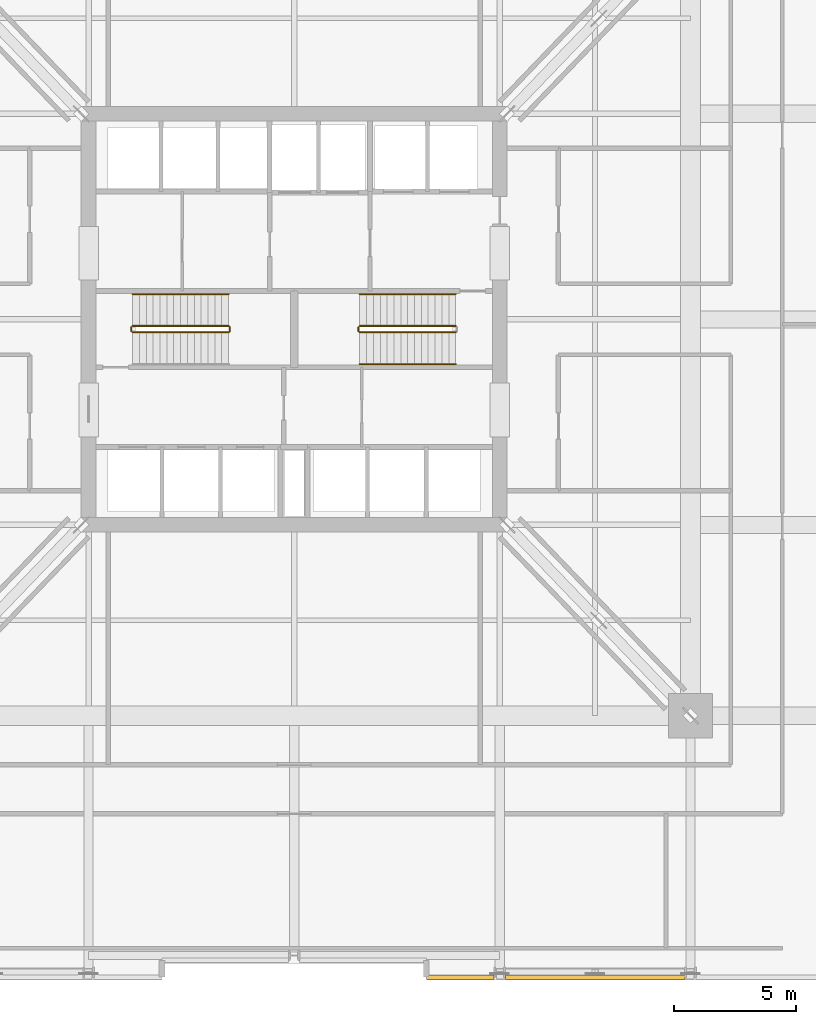
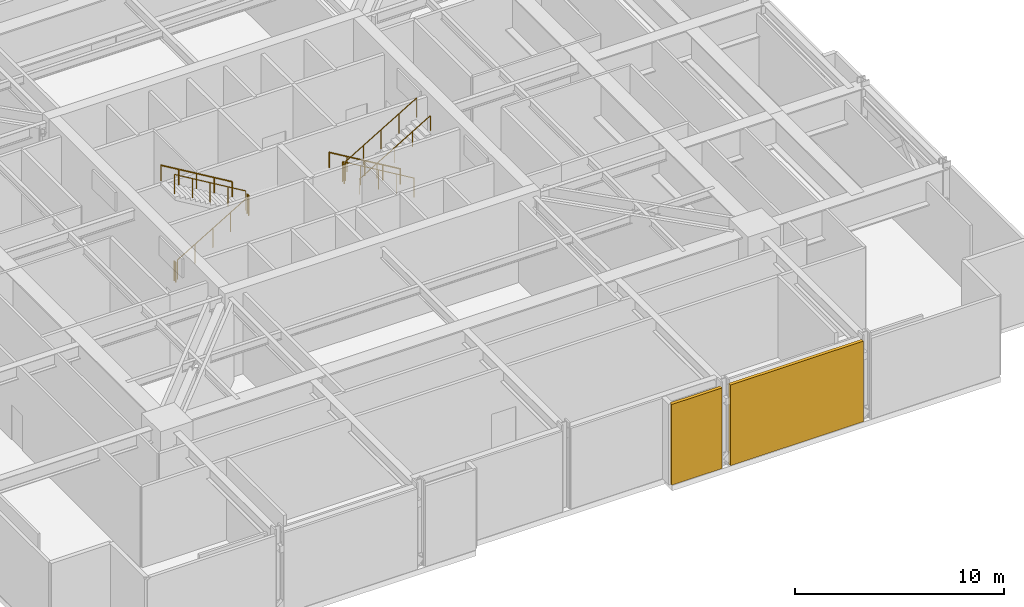
# One storey, part 11 of 13: 10 railings, 2 shading devices.
"""IFC4 building model written with IfcOpenShell, lengths in metres."""

import ifcopenshell
import ifcopenshell.guid

model = None  # the IFC model being written
_history = None  # IfcOwnerHistory: only IFC2X3 demands one
_inside = {}  # id of a spatial element -> (the spatial element, [elements in it])
_under = {}  # id of a project, library or spatial element -> (it, [spatial elements below it])
_declared = {}  # id of a project -> (the project, [libraries it declares])
_typed = {}  # id of a type object -> (the type object, [elements of that type])
_made_of = {}  # id of a material, layer set ... -> (it, [elements and type objects made of it])


def new_model(schema):
    """Start an empty IFC model of exactly this schema.

    Asked for "IFC4X3", IfcOpenShell would pick the latest addendum, in which some entities
    have other attributes; the version numbers below select the first issue.
    IFC2X3 requires an IfcOwnerHistory on every rooted entity: one is made here for all.
    """
    global model, _history
    if schema == "IFC4X3":
        model = ifcopenshell.file(schema_version=(4, 3, 0, 0))
    else:
        model = ifcopenshell.file(schema=schema)
    _inside.clear()
    _under.clear()
    _declared.clear()
    _typed.clear()
    _made_of.clear()
    _history = None
    if model.schema == "IFC2X3":
        org = make("IfcOrganization", Name="unknown")
        user = make(
            "IfcPersonAndOrganization",
            ThePerson=make("IfcPerson", FamilyName="unknown"),
            TheOrganization=org,
        )
        app = make(
            "IfcApplication",
            ApplicationDeveloper=org,
            Version="unknown",
            ApplicationFullName="unknown",
            ApplicationIdentifier="unknown",
        )
        _history = make(
            "IfcOwnerHistory",
            OwningUser=user,
            OwningApplication=app,
            ChangeAction="ADDED",
            CreationDate=0,
        )
    return model


def make(cls, **values):
    """One entity of the class cls with the attributes given. An attribute that is None is left unset."""
    return model.create_entity(
        cls, **{name: value for name, value in values.items() if value is not None}
    )


def rooted(cls, **values):
    """An entity with a GlobalId (a new one), such as an element, a storey or a relation."""
    return make(cls, GlobalId=ifcopenshell.guid.new(), OwnerHistory=_history, **values)


def si_unit(unit_type, name, prefix=None):
    """IfcSIUnit, for example si_unit("LENGTHUNIT", "METRE", prefix="MILLI")."""
    return make("IfcSIUnit", UnitType=unit_type, Prefix=prefix, Name=name)


def assignment(units):
    """IfcUnitAssignment: the units of a project."""
    return None if units is None else make("IfcUnitAssignment", Units=units)


def point(xyz):
    """IfcCartesianPoint."""
    return None if xyz is None else make("IfcCartesianPoint", Coordinates=xyz)


def direction(xyz):
    """IfcDirection."""
    return None if xyz is None else make("IfcDirection", DirectionRatios=xyz)


def frame(location, z_axis=None, x_axis=None):
    """IfcAxis2Placement3D, a coordinate frame: its origin and axes. An axis left out is left unset."""
    return make(
        "IfcAxis2Placement3D",
        Location=point(location),
        Axis=direction(z_axis),
        RefDirection=direction(x_axis),
    )


def frame_2d(location, x_axis=None):
    """IfcAxis2Placement2D, a coordinate frame in the plane: its origin and x axis."""
    return make(
        "IfcAxis2Placement2D", Location=point(location), RefDirection=direction(x_axis)
    )


def origin():
    """The frame at (0, 0, 0) with its axes left unset."""
    return frame((0.0, 0.0, 0.0))


def origin_2d():
    """The frame at (0, 0) in the plane with its x axis left unset."""
    return frame_2d((0.0, 0.0))


def place(relative_to, where):
    """IfcLocalPlacement: puts the frame where relative to a parent placement (None: the world)."""
    return make(
        "IfcLocalPlacement", PlacementRelTo=relative_to, RelativePlacement=where
    )


def context(
    kind, dimensions, precision=None, world=None, true_north=None, identifier=None
):
    """IfcGeometricRepresentationContext, for example the 3D "Model" context."""
    return make(
        "IfcGeometricRepresentationContext",
        ContextIdentifier=identifier,
        ContextType=kind,
        CoordinateSpaceDimension=dimensions,
        Precision=precision,
        WorldCoordinateSystem=world,
        TrueNorth=true_north,
    )


def subcontext(parent, identifier, kind, view, scale=None):
    """IfcGeometricRepresentationSubContext, for example "Body" below "Model"."""
    return make(
        "IfcGeometricRepresentationSubContext",
        ContextIdentifier=identifier,
        ContextType=kind,
        ParentContext=parent,
        TargetScale=scale,
        TargetView=view,
    )


def project(units=None, contexts=None):
    """IfcProject with its units and contexts."""
    return rooted(
        "IfcProject",
        Name="project",
        RepresentationContexts=contexts,
        UnitsInContext=assignment(units),
    )


def spatial(cls, under=None, at=None, **own):
    """A site, building, storey or space (cls), placed at a placement, below another one or the project."""
    s = rooted(cls, ObjectPlacement=at, **own)
    if under is not None:
        _under.setdefault(under.id(), (under, []))[1].append(s)
    return s


def profile(cls, at=None, kind="AREA", **sizes):
    """A parametric profile (cls). Its sizes go by their IFC names, for example OverallWidth=200.0."""
    return make(cls, ProfileType=kind, Position=at, **sizes)


def rectangle(**sizes):
    """IfcRectangleProfileDef."""
    return profile("IfcRectangleProfileDef", **sizes)


def circle(**sizes):
    """IfcCircleProfileDef."""
    return profile("IfcCircleProfileDef", **sizes)


def extrude(swept, where, along, depth):
    """IfcExtrudedAreaSolid: the profile swept, set in the frame where, extruded along a direction by depth."""
    return make(
        "IfcExtrudedAreaSolid",
        SweptArea=swept,
        Position=where,
        ExtrudedDirection=direction(along),
        Depth=depth,
    )


def shape(context_of_items, identifier, shape_type, items):
    """IfcShapeRepresentation: the items that make up one representation, for example the "Body"."""
    return make(
        "IfcShapeRepresentation",
        ContextOfItems=context_of_items,
        RepresentationIdentifier=identifier,
        RepresentationType=shape_type,
        Items=items,
    )


def material(Name=None, Category=None):
    """IfcMaterial."""
    return make("IfcMaterial", Name=Name, Category=Category)


def layer(
    of_material, thickness, ventilated=None, Name=None, Category=None, Priority=None
):
    """IfcMaterialLayer: one layer of a wall or slab, of a material (None: an air gap)."""
    return make(
        "IfcMaterialLayer",
        Material=of_material,
        LayerThickness=thickness,
        IsVentilated=ventilated,
        Name=Name,
        Category=Category,
        Priority=Priority,
    )


def layer_set(layers, Name=None):
    """IfcMaterialLayerSet."""
    return make("IfcMaterialLayerSet", MaterialLayers=layers, LayerSetName=Name)


def made_of(thing, what):
    """Note that an element or type object is made of a material, layer set ...; save() writes the relation."""
    if what is not None:
        _made_of.setdefault(what.id(), (what, []))[1].append(thing)
    return thing


def type_object(cls, material=None, **own):
    """A type object (cls), such as IfcWallType, which elements share."""
    return made_of(rooted(cls, **own), material)


def element(
    cls,
    number,
    at=None,
    inside=None,
    cuts=None,
    type_object=None,
    material=None,
    context=None,
    identifier="Body",
    shape_type=None,
    held_by="IfcProductDefinitionShape",
    body=None,
    shapes=None,
    **own,
):
    """One element of the class cls, such as IfcWall. Its Tag is "e" and its number.

    at: its placement. inside: the storey or other place that contains it. cuts: it is an
    opening in that element (IfcRelVoidsElement). A single representation is given by context,
    identifier, shape_type and body (its items); several are given by shapes. held_by: the class
    of the entity that holds the representations. save() writes the other relations.
    """
    e = rooted(cls, Tag="e%d" % number, ObjectPlacement=at, **own)
    if body is not None:
        shapes = [shape(context, identifier, shape_type, body)]
    if shapes is not None:
        e.Representation = make(held_by, Representations=shapes)
    if inside is not None:
        _inside.setdefault(inside.id(), (inside, []))[1].append(e)
    if cuts is not None:
        rooted(
            "IfcRelVoidsElement", RelatingBuildingElement=cuts, RelatedOpeningElement=e
        )
    if type_object is not None:
        _typed.setdefault(type_object.id(), (type_object, []))[1].append(e)
    return made_of(e, material)


def aggregate(whole, parts):
    """IfcRelAggregates: a whole, such as a stair, and the parts it consists of."""
    return rooted("IfcRelAggregates", RelatingObject=whole, RelatedObjects=parts)


def save(model, path):
    """Write the relations noted so far, then the file.

    IfcRelAggregates (storeys below a building ...), IfcRelContainedInSpatialStructure (elements
    in a storey), IfcRelDefinesByType, IfcRelAssociatesMaterial and IfcRelDeclares: one each for
    every whole, place, type object, material and project.
    """
    for whole, parts in _under.values():
        aggregate(whole, parts)
    for where, things in _inside.values():
        rooted(
            "IfcRelContainedInSpatialStructure",
            RelatedElements=things,
            RelatingStructure=where,
        )
    for kind, things in _typed.values():
        rooted("IfcRelDefinesByType", RelatedObjects=things, RelatingType=kind)
    for what, things in _made_of.values():
        rooted("IfcRelAssociatesMaterial", RelatedObjects=things, RelatingMaterial=what)
    for by, libraries in _declared.values():
        rooted("IfcRelDeclares", RelatingContext=by, RelatedDefinitions=libraries)
    model.write(path)


model = new_model("IFC4")

# Units and contexts
model_context = context("Model", 3, precision=1e-05, world=origin(), true_north=direction((0.0, 1.0)))
body_context = subcontext(model_context, "Body", "Model", "MODEL_VIEW")
ifc_project = project(units=[si_unit("LENGTHUNIT", "METRE"), si_unit("AREAUNIT", "SQUARE_METRE"), si_unit("VOLUMEUNIT", "CUBIC_METRE"), si_unit("PLANEANGLEUNIT", "RADIAN"), si_unit("MASSUNIT", "GRAM", prefix="KILO")], contexts=[model_context])

# Site, building, storey
site_placement = place(None, origin())
site = spatial("IfcSite", under=ifc_project, at=site_placement, CompositionType="ELEMENT")
building_placement = place(site_placement, origin())
building = spatial("IfcBuilding", under=site, at=building_placement, Name="Drelvath Grand Hotel", CompositionType="ELEMENT")
storey_placement = place(building_placement, frame((0.0, 0.0, 82.199951171875)))
storey = spatial("IfcBuildingStorey", under=building, at=storey_placement, Name="L20", CompositionType="ELEMENT", Elevation=82.199951171875)

# Railings
ifc_material_1 = material(Name="Painted Steel S275", Category="steel")
railing_type_1 = type_object("IfcRailingType", Name="Core Stair Wall Handrail 900", PredefinedType="HANDRAIL", material=ifc_material_1)
for number, where, name in (
    (1, (-2.679931640625, 28.030029296875, 2.666748046875), "L20 ST-1 stair handrail 2"),
    (2, (6.60009765625, 28.030029296875, 0.166748046875), "L20 ST-2 stair handrail 1"),
):
    element("IfcRailing", number, at=place(storey_placement, frame(where)), inside=storey, type_object=railing_type_1, Name=name, PredefinedType="HANDRAIL", context=body_context, shape_type="SweptSolid", body=[
        extrude(circle(Radius=0.02392578125, at=origin_2d()), frame((0.0, 0.0, 0.8759765625), z_axis=(-0.859310244771, 0.0, 0.511454693235), x_axis=(0.0, -1.0, 0.0)), (0.0, 0.0, 1.0), 4.56201171875),
        extrude(circle(Radius=0.02099609375, at=origin_2d()), origin(), (0.0, 0.0, 1.0), 0.851806640625),
        extrude(circle(Radius=0.02099609375, at=origin_2d()), frame((-0.97998046875, 0.0, 0.583251953125)), (0.0, 0.0, 1.0), 0.851806640625),
        extrude(circle(Radius=0.02099609375, at=origin_2d()), frame((-1.9599609375, 0.0, 1.16650390625)), (0.0, 0.0, 1.0), 0.851806640625),
        extrude(circle(Radius=0.02099609375, at=origin_2d()), frame((-2.940185546875, 0.0, 1.75)), (0.0, 0.0, 1.0), 0.851806640625),
        extrude(circle(Radius=0.02099609375, at=origin_2d()), frame((-3.920166015625, 0.0, 2.333251953125)), (0.0, 0.0, 1.0), 0.851806640625),
    ])
railing_1_placement = place(storey_placement, frame((2.679931640625, 25.169921875, 2.666748046875)))
element("IfcRailing", 3, at=railing_1_placement, inside=storey, type_object=railing_type_1, Name="L20 ST-2 stair handrail 2", PredefinedType="HANDRAIL", context=body_context, shape_type="SweptSolid", body=[
    extrude(circle(Radius=0.02392578125, at=origin_2d()), frame((0.0, 0.0, 0.8759765625), z_axis=(0.859310244771, 0.0, 0.511454693235), x_axis=(0.0, 1.0, 0.0)), (0.0, 0.0, 1.0), 4.56201171875),
    extrude(circle(Radius=0.02099609375, at=origin_2d()), origin(), (0.0, 0.0, 1.0), 0.851806640625),
    extrude(circle(Radius=0.02099609375, at=origin_2d()), frame((0.97998046875, 0.0, 0.583251953125)), (0.0, 0.0, 1.0), 0.851806640625),
    extrude(circle(Radius=0.02099609375, at=origin_2d()), frame((1.9599609375, 0.0, 1.16650390625)), (0.0, 0.0, 1.0), 0.851806640625),
    extrude(circle(Radius=0.02099609375, at=origin_2d()), frame((2.940185546875, 0.0, 1.75)), (0.0, 0.0, 1.0), 0.851806640625),
    extrude(circle(Radius=0.02099609375, at=origin_2d()), frame((3.920166015625, 0.0, 2.333251953125)), (0.0, 0.0, 1.0), 0.851806640625),
])
railing_type_2 = type_object("IfcRailingType", Name="Core Stair Well Guardrail 1100", PredefinedType="GUARDRAIL", material=ifc_material_1)
railing_2_placement = place(storey_placement, frame((-6.60009765625, 26.469970703125, 0.166748046875)))
element("IfcRailing", 4, at=railing_2_placement, inside=storey, type_object=railing_type_2, Name="L20 ST-1 stair guard 1", PredefinedType="GUARDRAIL", context=body_context, shape_type="SweptSolid", body=[
    extrude(circle(Radius=0.02392578125, at=origin_2d()), frame((0.0, 0.0, 1.1259765625), z_axis=(0.859310244771, 0.0, 0.511454693235), x_axis=(0.0, 1.0, 0.0)), (0.0, 0.0, 1.0), 4.56201171875),
    extrude(circle(Radius=0.02099609375, at=origin_2d()), origin(), (0.0, 0.0, 1.0), 1.101806640625),
    extrude(circle(Radius=0.02099609375, at=origin_2d()), frame((0.97998046875, 0.0, 0.583251953125)), (0.0, 0.0, 1.0), 1.101806640625),
    extrude(circle(Radius=0.02099609375, at=origin_2d()), frame((1.9599609375, 0.0, 1.16650390625)), (0.0, 0.0, 1.0), 1.101806640625),
    extrude(circle(Radius=0.02099609375, at=origin_2d()), frame((2.940185546875, 0.0, 1.75)), (0.0, 0.0, 1.0), 1.101806640625),
    extrude(circle(Radius=0.02099609375, at=origin_2d()), frame((3.920166015625, 0.0, 2.333251953125)), (0.0, 0.0, 1.0), 1.101806640625),
])
railing_3_placement = place(storey_placement, frame((-2.6298828125, 26.52001953125, 2.5)))
element("IfcRailing", 5, at=railing_3_placement, inside=storey, type_object=railing_type_2, Name="L20 ST-1 stair guard 2", PredefinedType="GUARDRAIL", context=body_context, shape_type="SweptSolid", body=[
    extrude(circle(Radius=0.02392578125, at=origin_2d()), frame((0.0, 0.0, 1.1259765625), z_axis=(0.0, 1.0, 0.0), x_axis=(-1.0, 0.0, 0.0)), (0.0, 0.0, 1.0), 0.159912109375),
    extrude(circle(Radius=0.02099609375, at=origin_2d()), origin(), (0.0, 0.0, 1.0), 1.101806640625),
    extrude(circle(Radius=0.02099609375, at=origin_2d()), frame((0.0, 0.159912109375, 0.0)), (0.0, 0.0, 1.0), 1.101806640625),
])
railing_4_placement = place(storey_placement, frame((-2.679931640625, 26.72998046875, 2.666748046875)))
element("IfcRailing", 6, at=railing_4_placement, inside=storey, type_object=railing_type_2, Name="L20 ST-1 stair guard 3", PredefinedType="GUARDRAIL", context=body_context, shape_type="SweptSolid", body=[
    extrude(circle(Radius=0.02392578125, at=origin_2d()), frame((0.0, 0.0, 1.1259765625), z_axis=(-0.859310244771, 0.0, 0.511454693235), x_axis=(0.0, -1.0, 0.0)), (0.0, 0.0, 1.0), 4.56201171875),
    extrude(circle(Radius=0.02099609375, at=origin_2d()), origin(), (0.0, 0.0, 1.0), 1.101806640625),
    extrude(circle(Radius=0.02099609375, at=origin_2d()), frame((-0.97998046875, 0.0, 0.583251953125)), (0.0, 0.0, 1.0), 1.101806640625),
    extrude(circle(Radius=0.02099609375, at=origin_2d()), frame((-1.9599609375, 0.0, 1.16650390625)), (0.0, 0.0, 1.0), 1.101806640625),
    extrude(circle(Radius=0.02099609375, at=origin_2d()), frame((-2.940185546875, 0.0, 1.75)), (0.0, 0.0, 1.0), 1.101806640625),
    extrude(circle(Radius=0.02099609375, at=origin_2d()), frame((-3.920166015625, 0.0, 2.333251953125)), (0.0, 0.0, 1.0), 1.101806640625),
])
railing_5_placement = place(storey_placement, frame((-6.64990234375, 26.52001953125, 0.0)))
element("IfcRailing", 7, at=railing_5_placement, inside=storey, type_object=railing_type_2, Name="L20 ST-1 stair guard 4", PredefinedType="GUARDRAIL", context=body_context, shape_type="SweptSolid", body=[
    extrude(circle(Radius=0.02392578125, at=origin_2d()), frame((0.0, 0.0, 1.1259765625), z_axis=(0.0, 1.0, 0.0), x_axis=(-1.0, 0.0, 0.0)), (0.0, 0.0, 1.0), 0.159912109375),
    extrude(circle(Radius=0.02099609375, at=origin_2d()), origin(), (0.0, 0.0, 1.0), 1.101806640625),
    extrude(circle(Radius=0.02099609375, at=origin_2d()), frame((0.0, 0.159912109375, 0.0)), (0.0, 0.0, 1.0), 1.101806640625),
])
railing_6_placement = place(storey_placement, frame((6.60009765625, 26.72998046875, 0.166748046875)))
element("IfcRailing", 8, at=railing_6_placement, inside=storey, type_object=railing_type_2, Name="L20 ST-2 stair guard 1", PredefinedType="GUARDRAIL", context=body_context, shape_type="SweptSolid", body=[
    extrude(circle(Radius=0.02392578125, at=origin_2d()), frame((0.0, 0.0, 1.1259765625), z_axis=(-0.859310244771, 0.0, 0.511454693235), x_axis=(0.0, -1.0, 0.0)), (0.0, 0.0, 1.0), 4.56201171875),
    extrude(circle(Radius=0.02099609375, at=origin_2d()), origin(), (0.0, 0.0, 1.0), 1.101806640625),
    extrude(circle(Radius=0.02099609375, at=origin_2d()), frame((-0.97998046875, 0.0, 0.583251953125)), (0.0, 0.0, 1.0), 1.101806640625),
    extrude(circle(Radius=0.02099609375, at=origin_2d()), frame((-1.9599609375, 0.0, 1.16650390625)), (0.0, 0.0, 1.0), 1.101806640625),
    extrude(circle(Radius=0.02099609375, at=origin_2d()), frame((-2.940185546875, 0.0, 1.75)), (0.0, 0.0, 1.0), 1.101806640625),
    extrude(circle(Radius=0.02099609375, at=origin_2d()), frame((-3.920166015625, 0.0, 2.333251953125)), (0.0, 0.0, 1.0), 1.101806640625),
])
railing_7_placement = place(storey_placement, frame((2.6298828125, 26.679931640625, 2.5)))
element("IfcRailing", 9, at=railing_7_placement, inside=storey, type_object=railing_type_2, Name="L20 ST-2 stair guard 2", PredefinedType="GUARDRAIL", context=body_context, shape_type="SweptSolid", body=[
    extrude(circle(Radius=0.02392578125, at=origin_2d()), frame((0.0, 0.0, 1.1259765625), z_axis=(0.0, -1.0, 0.0), x_axis=(1.0, 0.0, 0.0)), (0.0, 0.0, 1.0), 0.159912109375),
    extrude(circle(Radius=0.02099609375, at=origin_2d()), origin(), (0.0, 0.0, 1.0), 1.101806640625),
    extrude(circle(Radius=0.02099609375, at=origin_2d()), frame((0.0, -0.159912109375, 0.0)), (0.0, 0.0, 1.0), 1.101806640625),
])
railing_8_placement = place(storey_placement, frame((2.679931640625, 26.469970703125, 2.666748046875)))
element("IfcRailing", 10, at=railing_8_placement, inside=storey, type_object=railing_type_2, Name="L20 ST-2 stair guard 3", PredefinedType="GUARDRAIL", context=body_context, shape_type="SweptSolid", body=[
    extrude(circle(Radius=0.02392578125, at=origin_2d()), frame((0.0, 0.0, 1.1259765625), z_axis=(0.859310244771, 0.0, 0.511454693235), x_axis=(0.0, 1.0, 0.0)), (0.0, 0.0, 1.0), 4.56201171875),
    extrude(circle(Radius=0.02099609375, at=origin_2d()), origin(), (0.0, 0.0, 1.0), 1.101806640625),
    extrude(circle(Radius=0.02099609375, at=origin_2d()), frame((0.97998046875, 0.0, 0.583251953125)), (0.0, 0.0, 1.0), 1.101806640625),
    extrude(circle(Radius=0.02099609375, at=origin_2d()), frame((1.9599609375, 0.0, 1.16650390625)), (0.0, 0.0, 1.0), 1.101806640625),
    extrude(circle(Radius=0.02099609375, at=origin_2d()), frame((2.940185546875, 0.0, 1.75)), (0.0, 0.0, 1.0), 1.101806640625),
    extrude(circle(Radius=0.02099609375, at=origin_2d()), frame((3.920166015625, 0.0, 2.333251953125)), (0.0, 0.0, 1.0), 1.101806640625),
])

# Shading devices
ifc_material_2 = material(Name="Pale-Metal Anodised Aluminium Louvre", Category="aluminium")
ifc_layer = layer(ifc_material_2, 0.179931640625)
ifc_layer_set = layer_set([ifc_layer], Name="Pale-Metal Anodised Aluminium Louvre")
shading_device_type = type_object("IfcShadingDeviceType", Name="Mechanical Acoustic Weather Louvre Pale-Metal 180", PredefinedType="USERDEFINED", material=ifc_layer_set)
shading_device_1_placement = place(storey_placement, frame((6.785400390625, 0.1201171875, 0.0), z_axis=(0.0, 0.0, 1.0), x_axis=(1.0, 0.0, 0.0)))
element("IfcShadingDevice", 11, at=shading_device_1_placement, inside=storey, type_object=shading_device_type, Name="L20 Mechanical Plant Acoustic Louvre SE-1", ObjectType="LOUVRE", PredefinedType="USERDEFINED", context=body_context, shape_type="SweptSolid", body=[
    extrude(rectangle(XDim=2.77099609375, YDim=0.179931640625, at=origin_2d()), origin(), (0.0, 0.0, 1.0), 4.699951171875),
])
shading_device_2_placement = place(storey_placement, frame((12.300048828125, 0.1201171875, 0.0), z_axis=(0.0, 0.0, 1.0), x_axis=(1.0, 0.0, 0.0)))
element("IfcShadingDevice", 12, at=shading_device_2_placement, inside=storey, type_object=shading_device_type, Name="L20 Mechanical Plant Acoustic Louvre SE-2", ObjectType="LOUVRE", PredefinedType="USERDEFINED", context=body_context, shape_type="SweptSolid", body=[
    extrude(rectangle(XDim=7.341796875, YDim=0.179931640625, at=origin_2d()), origin(), (0.0, 0.0, 1.0), 4.699951171875),
])

save(model, "model.ifc")
